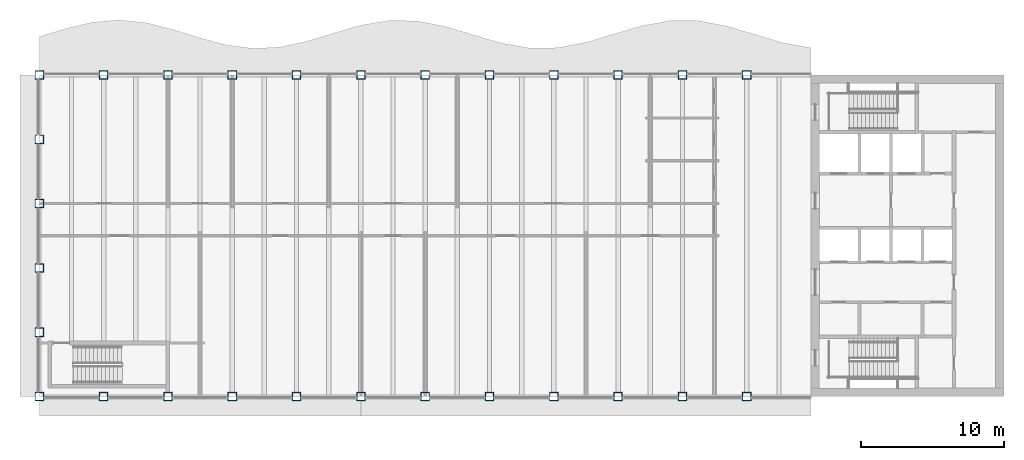
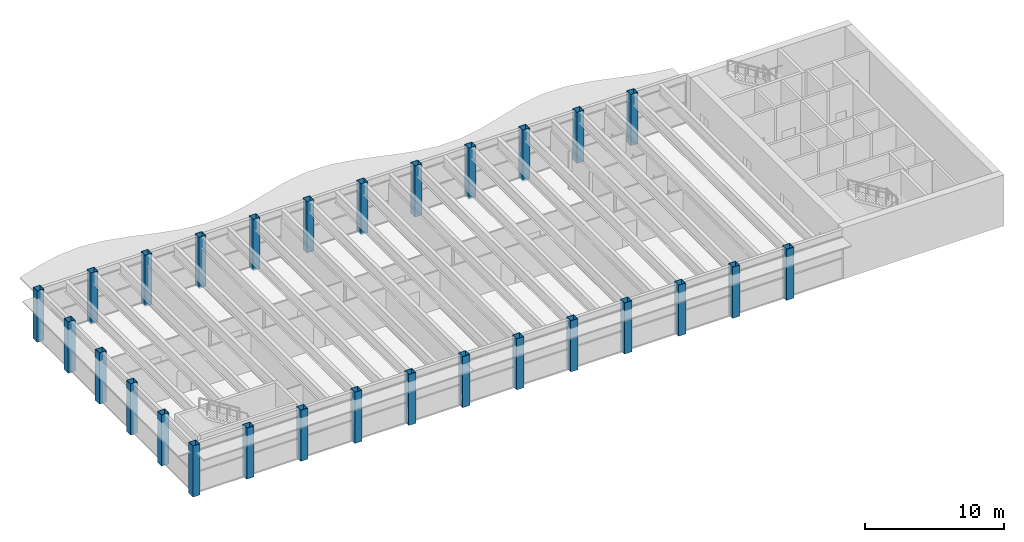
# One storey, part 1 of 15: 28 columns.
"""IFC4 building model written with IfcOpenShell, lengths in metres."""

from ifc_helpers import new_model, si_unit, direction, frame, origin, origin_2d, place, context, subcontext, project, spatial, hollow_rectangle, extrude, material, material_profile, profile_set, type_object, element, save


model = new_model("IFC4")

# Units and contexts
model_context = context("Model", 3, precision=1e-05, world=origin(), true_north=direction((0.0, 1.0)))
body_context = subcontext(model_context, "Body", "Model", "MODEL_VIEW")
ifc_project = project(units=[si_unit("LENGTHUNIT", "METRE"), si_unit("AREAUNIT", "SQUARE_METRE"), si_unit("VOLUMEUNIT", "CUBIC_METRE"), si_unit("PLANEANGLEUNIT", "RADIAN"), si_unit("MASSUNIT", "GRAM", prefix="KILO")], contexts=[model_context])

# Site, building, storey
site_placement = place(None, origin())
site = spatial("IfcSite", under=ifc_project, at=site_placement, CompositionType="ELEMENT")
building_placement = place(site_placement, origin())
building = spatial("IfcBuilding", under=site, at=building_placement, Name="Sennacour Bend Tower", CompositionType="ELEMENT")
storey_placement = place(building_placement, frame((0.0, 0.0, 323.0)))
storey = spatial("IfcBuildingStorey", under=building, at=storey_placement, Name="L74", CompositionType="ELEMENT", Elevation=323.0)

# Columns
ifc_material = material(Name="Steel ASTM A572 Grade 50", Category="steel")
ifc_material_profile = material_profile(ifc_material, hollow_rectangle(XDim=0.60009765625, YDim=0.60009765625, WallThickness=0.030029296875, at=origin_2d()), Name="Steel ASTM A572 Grade 50", Category="steel")
ifc_profile_set = profile_set([ifc_material_profile], Name="Steel ASTM A572 Grade 50")
column_type = type_object("IfcColumnType", Name="Box column 600", PredefinedType="COLUMN", material=ifc_profile_set)
for number, where, z_axis, x_axis, name in (
    (1, (0.0, 0.0, -0.14990234375), (0.0, 0.0, 1.0), (1.0, 0.0, 0.0), "Perimeter column C6 L74-001"),
    (2, (0.0, 4.5, -0.14990234375), (0.0, 0.0, 1.0), (1.0, 0.0, 0.0), "Perimeter column C6 L74-002"),
    (3, (0.0, 9.0, -0.14990234375), (0.0, 0.0, 1.0), (1.0, 0.0, 0.0), "Perimeter column C6 L74-003"),
    (4, (0.0, 13.5, -0.14990234375), (0.0, 0.0, 1.0), (1.0, 0.0, 0.0), "Perimeter column C6 L74-004"),
    (5, (0.0, 18.0, -0.14990234375), (0.0, 0.0, 1.0), (1.0, 0.0, 0.0), "Perimeter column C6 L74-005"),
    (6, (0.0, 22.5, -0.14990234375), (0.0, 0.0, 1.0), (1.0, 0.0, 0.0), "Perimeter column C6 L74-006"),
    (7, (4.5, 0.0, -0.14990234375), (0.0, 0.0, 1.0), (1.0, 0.0, 0.0), "Perimeter column C6 L74-007"),
    (8, (4.5, 22.5, -0.14990234375), (0.0, 0.0, 1.0), (1.0, 0.0, 0.0), "Perimeter column C6 L74-008"),
    (9, (9.0, 0.0, -0.14990234375), (0.0, 0.0, 1.0), (1.0, 0.0, 0.0), "Perimeter column C6 L74-009"),
    (10, (9.0, 22.5, -0.14990234375), (0.0, 0.0, 1.0), (1.0, 0.0, 0.0), "Perimeter column C6 L74-010"),
    (11, (13.5, 0.0, -0.14990234375), (0.0, 0.0, 1.0), (1.0, 0.0, 0.0), "Perimeter column C6 L74-011"),
    (12, (13.5, 22.5, -0.14990234375), (0.0, 0.0, 1.0), (1.0, 0.0, 0.0), "Perimeter column C6 L74-012"),
    (13, (18.0, 0.0, -0.14990234375), (0.0, 0.0, 1.0), (1.0, 0.0, 0.0), "Perimeter column C6 L74-013"),
    (14, (18.0, 22.5, -0.14990234375), (0.0, 0.0, 1.0), (1.0, 0.0, 0.0), "Perimeter column C6 L74-014"),
    (15, (22.5, 0.0, -0.14990234375), (0.0, 0.0, 1.0), (1.0, 0.0, 0.0), "Perimeter column C6 L74-015"),
    (16, (22.5, 22.5, -0.14990234375), (0.0, 0.0, 1.0), (1.0, 0.0, 0.0), "Perimeter column C6 L74-016"),
    (17, (27.0, 0.0, -0.14990234375), (0.0, 0.0, 1.0), (1.0, 0.0, 0.0), "Perimeter column C6 L74-017"),
    (18, (27.0, 22.5, -0.14990234375), (0.0, 0.0, 1.0), (1.0, 0.0, 0.0), "Perimeter column C6 L74-018"),
    (19, (31.5, 0.0, -0.14990234375), (0.0, 0.0, 1.0), (1.0, 0.0, 0.0), "Perimeter column C6 L74-019"),
    (20, (31.5, 22.5, -0.14990234375), (0.0, 0.0, 1.0), (1.0, 0.0, 0.0), "Perimeter column C6 L74-020"),
    (21, (36.0, 0.0, -0.14990234375), (0.0, 0.0, 1.0), (1.0, 0.0, 0.0), "Perimeter column C6 L74-021"),
    (22, (36.0, 22.5, -0.14990234375), (0.0, 0.0, 1.0), (1.0, 0.0, 0.0), "Perimeter column C6 L74-022"),
    (23, (40.5, 0.0, -0.14990234375), (0.0, 0.0, 1.0), (1.0, 0.0, 0.0), "Perimeter column C6 L74-023"),
    (24, (40.5, 22.5, -0.14990234375), (0.0, 0.0, 1.0), (1.0, 0.0, 0.0), "Perimeter column C6 L74-024"),
    (25, (45.0, 0.0, -0.14990234375), (0.0, 0.0, 1.0), (1.0, 0.0, 0.0), "Perimeter column C6 L74-025"),
    (26, (45.0, 22.5, -0.14990234375), (0.0, 0.0, 1.0), (1.0, 0.0, 0.0), "Perimeter column C6 L74-026"),
    (27, (49.5, 0.0, -0.14990234375), (0.0, 0.0, 1.0), (1.0, 0.0, 0.0), "Perimeter column C6 L74-027"),
    (28, (49.5, 22.5, -0.14990234375), (0.0, 0.0, 1.0), (1.0, 0.0, 0.0), "Perimeter column C6 L74-028"),
):
    element("IfcColumn", number, at=place(storey_placement, frame(where, z_axis=z_axis, x_axis=x_axis)), inside=storey, type_object=column_type, Name=name, PredefinedType="COLUMN", context=body_context, shape_type="SweptSolid", body=[
        extrude(hollow_rectangle(XDim=0.60009765625, YDim=0.60009765625, WallThickness=0.030029296875, at=origin_2d()), origin(), (0.0, 0.0, 1.0), 4.5),
    ])

save(model, "model.ifc")
